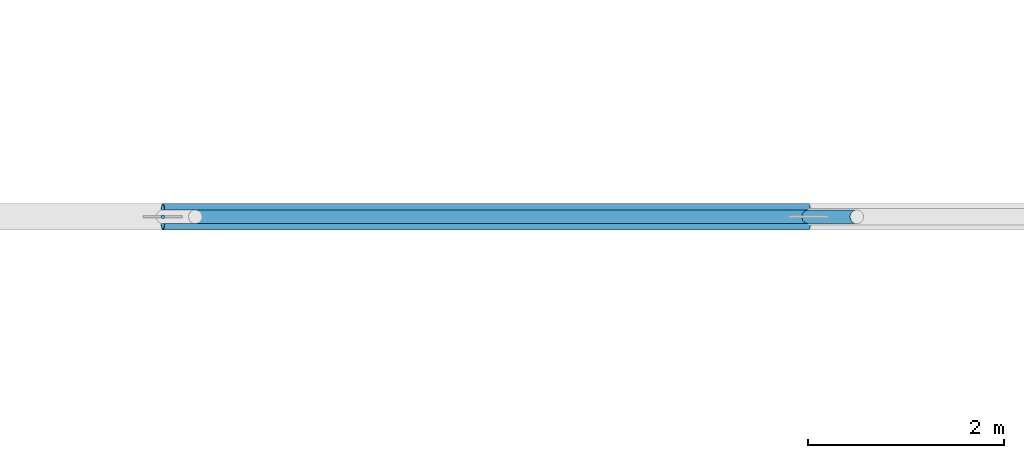
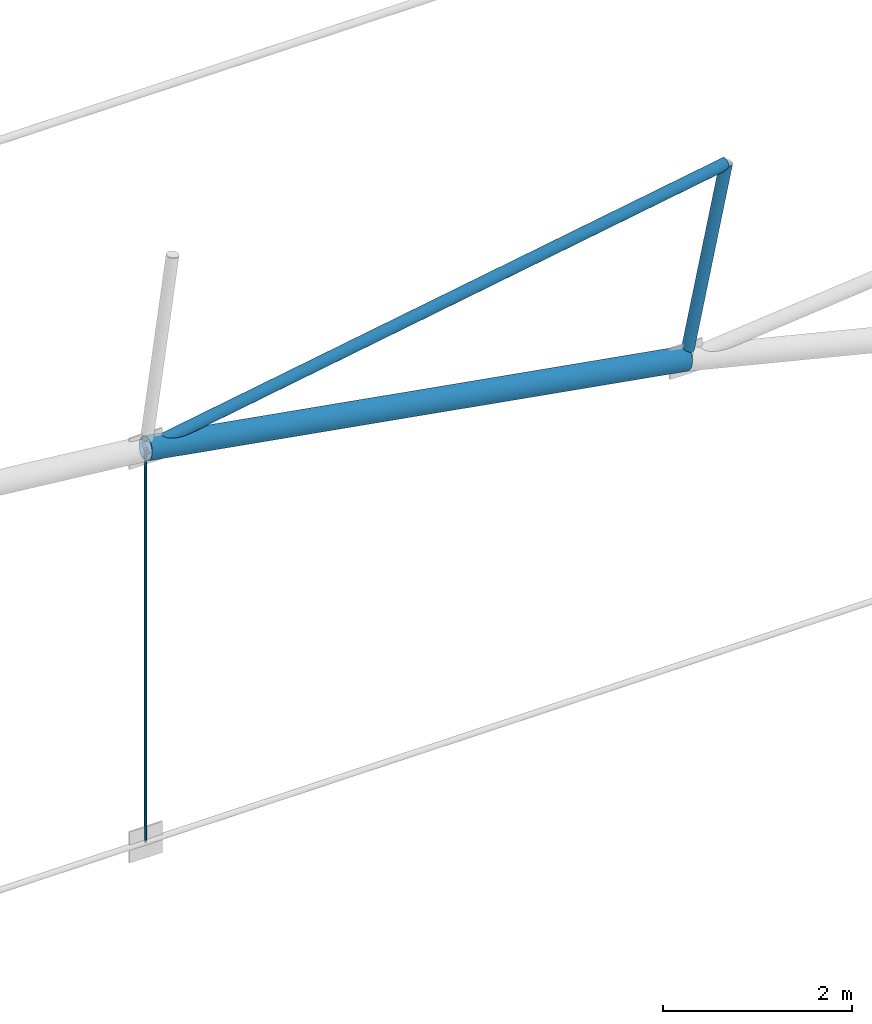
# One storey, part 103 of 321: 4 members.
"""IFC4 building model written with IfcOpenShell, lengths in metres."""

from ifc_helpers import new_model, si_unit, direction, frame, origin, origin_2d, place, context, subcontext, project, spatial, circle, hollow_circle, extrude, material, material_profile, profile_set, type_object, element, save


model = new_model("IFC4")

# Units and contexts
model_context = context("Model", 3, precision=1e-05, world=origin(), true_north=direction((0.0, 1.0)))
body_context = subcontext(model_context, "Body", "Model", "MODEL_VIEW")
ifc_project = project(units=[si_unit("LENGTHUNIT", "METRE"), si_unit("AREAUNIT", "SQUARE_METRE"), si_unit("VOLUMEUNIT", "CUBIC_METRE"), si_unit("PLANEANGLEUNIT", "RADIAN"), si_unit("MASSUNIT", "GRAM", prefix="KILO")], contexts=[model_context])

# Site, building, storey
site_placement = place(None, origin())
site = spatial("IfcSite", under=ifc_project, at=site_placement, CompositionType="ELEMENT")
building_placement = place(site_placement, origin())
building = spatial("IfcBuilding", under=site, at=building_placement, Name="Ravi Spectrum Wholesale Market", CompositionType="ELEMENT")
storey_placement = place(building_placement, frame((0.0, 0.0, 10.800048828125)))
storey = spatial("IfcBuildingStorey", under=building, at=storey_placement, Name="L02", CompositionType="ELEMENT", Elevation=10.800048828125)

# Members
ifc_material_1 = material(Name="Steel S355", Category="steel")
ifc_material_profile_1 = material_profile(ifc_material_1, hollow_circle(Radius=0.06982421875, WallThickness=0.0048828125, at=origin_2d()))
ifc_profile_set_1 = profile_set([ifc_material_profile_1], Name="Steel S355")
member_type_1 = type_object("IfcMemberType", Name="CHS 139.7x5 brace", PredefinedType="BRACE", material=ifc_profile_set_1)
member_1_placement = place(storey_placement, frame((90.44140625, 114.0, 6.30224609375), z_axis=(-0.985982518253, 0.0, -0.166848655074), x_axis=(0.0, -1.0, 0.0)))
element("IfcMember", 1, at=member_1_placement, inside=storey, type_object=member_type_1, Name="H1-MB-L02-640", PredefinedType="BRACE", context=body_context, shape_type="SweptSolid", body=[
    extrude(hollow_circle(Radius=0.06982421875, WallThickness=0.0048828125, at=origin_2d()), origin(), (0.0, 0.0, 1.0), 7.1904296875),
])
ifc_material_2 = material(Name="Steel S355", Category="steel")
ifc_material_profile_2 = material_profile(ifc_material_2, hollow_circle(Radius=0.06982421875, WallThickness=0.0048828125, at=origin_2d()))
ifc_profile_set_2 = profile_set([ifc_material_profile_2], Name="Steel S355")
member_type_2 = type_object("IfcMemberType", Name="CHS 139.7x5 post", PredefinedType="POST", material=ifc_profile_set_2)
member_2_placement = place(storey_placement, frame((90.44140625, 114.0, 6.30224609375), z_axis=(-0.20547728987, 0.0, -0.978661884078), x_axis=(0.0, -1.0, 0.0)))
element("IfcMember", 2, at=member_2_placement, inside=storey, type_object=member_type_2, Name="H1-MB-L02-630", PredefinedType="POST", context=body_context, shape_type="SweptSolid", body=[
    extrude(hollow_circle(Radius=0.06982421875, WallThickness=0.0048828125, at=origin_2d()), origin(), (0.0, 0.0, 1.0), 2.400146484375),
])
ifc_material_3 = material(Name="Steel S355", Category="steel")
ifc_material_profile_3 = material_profile(ifc_material_3, hollow_circle(Radius=0.136474609375, WallThickness=0.010009765625, at=origin_2d()))
ifc_profile_set_3 = profile_set([ifc_material_profile_3], Name="Steel S355")
member_type_3 = type_object("IfcMemberType", Name="CHS 273x10 chord", PredefinedType="CHORD", material=ifc_profile_set_3)
member_3_placement = place(storey_placement, frame((83.351806640625, 114.0, 5.1025390625), z_axis=(0.985162205886, 0.0, -0.171625837489), x_axis=(0.0, 1.0, 0.0)))
element("IfcMember", 3, at=member_3_placement, inside=storey, type_object=member_type_3, Name="H1-MB-L02-618", PredefinedType="CHORD", context=body_context, shape_type="SweptSolid", body=[
    extrude(hollow_circle(Radius=0.136474609375, WallThickness=0.010009765625, at=origin_2d()), origin(), (0.0, 0.0, 1.0), 6.69580078125),
])
ifc_material_4 = material(Name="Steel S355", Category="steel")
ifc_material_profile_4 = material_profile(ifc_material_4, circle(Radius=0.01806640625, at=origin_2d()))
ifc_profile_set_4 = profile_set([ifc_material_profile_4], Name="Steel S355")
member_type_4 = type_object("IfcMemberType", Name="ROD 36 hanger", PredefinedType="STRUT", material=ifc_profile_set_4)
member_4_placement = place(storey_placement, frame((83.351806640625, 114.0, 0.023193359375), z_axis=(0.0, 0.0, 1.0), x_axis=(1.0, 0.0, 0.0)))
element("IfcMember", 4, at=member_4_placement, inside=storey, type_object=member_type_4, Name="H1-MB-L02-647", PredefinedType="STRUT", context=body_context, shape_type="SweptSolid", body=[
    extrude(circle(Radius=0.01806640625, at=origin_2d()), origin(), (0.0, 0.0, 1.0), 5.079345703125),
])

save(model, "model.ifc")
